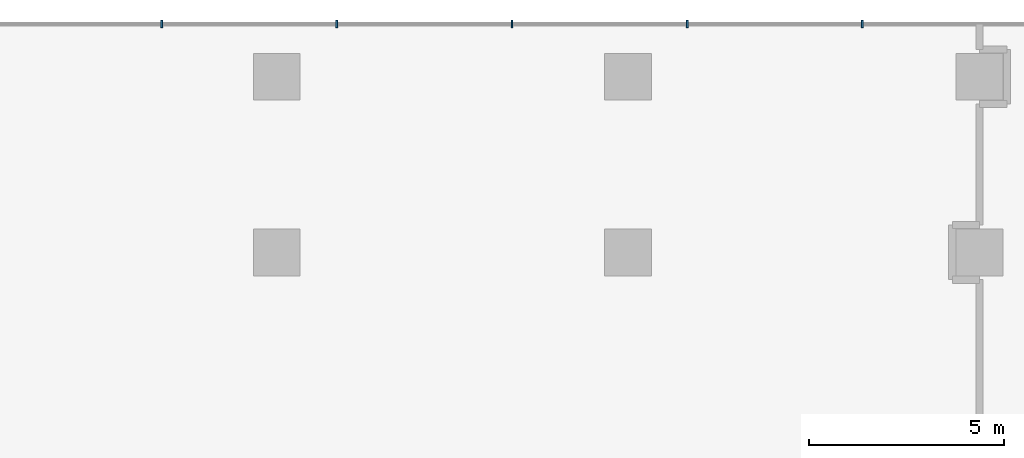
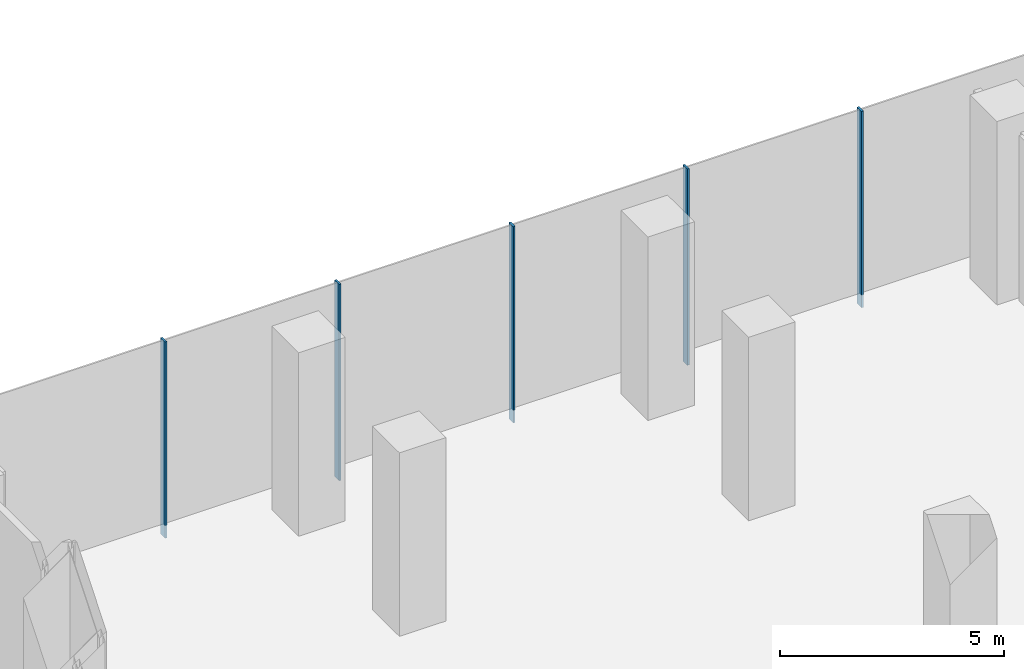
# One storey, part 17 of 36: 5 members, 1 element without a shape of its own.
"""IFC4 building model written with IfcOpenShell, lengths in metres."""

import ifcopenshell
import ifcopenshell.guid

model = None  # the IFC model being written
_history = None  # IfcOwnerHistory: only IFC2X3 demands one
_inside = {}  # id of a spatial element -> (the spatial element, [elements in it])
_under = {}  # id of a project, library or spatial element -> (it, [spatial elements below it])
_declared = {}  # id of a project -> (the project, [libraries it declares])
_typed = {}  # id of a type object -> (the type object, [elements of that type])
_made_of = {}  # id of a material, layer set ... -> (it, [elements and type objects made of it])


def new_model(schema):
    """Start an empty IFC model of exactly this schema.

    Asked for "IFC4X3", IfcOpenShell would pick the latest addendum, in which some entities
    have other attributes; the version numbers below select the first issue.
    IFC2X3 requires an IfcOwnerHistory on every rooted entity: one is made here for all.
    """
    global model, _history
    if schema == "IFC4X3":
        model = ifcopenshell.file(schema_version=(4, 3, 0, 0))
    else:
        model = ifcopenshell.file(schema=schema)
    _inside.clear()
    _under.clear()
    _declared.clear()
    _typed.clear()
    _made_of.clear()
    _history = None
    if model.schema == "IFC2X3":
        org = make("IfcOrganization", Name="unknown")
        user = make(
            "IfcPersonAndOrganization",
            ThePerson=make("IfcPerson", FamilyName="unknown"),
            TheOrganization=org,
        )
        app = make(
            "IfcApplication",
            ApplicationDeveloper=org,
            Version="unknown",
            ApplicationFullName="unknown",
            ApplicationIdentifier="unknown",
        )
        _history = make(
            "IfcOwnerHistory",
            OwningUser=user,
            OwningApplication=app,
            ChangeAction="ADDED",
            CreationDate=0,
        )
    return model


def make(cls, **values):
    """One entity of the class cls with the attributes given. An attribute that is None is left unset."""
    return model.create_entity(
        cls, **{name: value for name, value in values.items() if value is not None}
    )


def rooted(cls, **values):
    """An entity with a GlobalId (a new one), such as an element, a storey or a relation."""
    return make(cls, GlobalId=ifcopenshell.guid.new(), OwnerHistory=_history, **values)


def si_unit(unit_type, name, prefix=None):
    """IfcSIUnit, for example si_unit("LENGTHUNIT", "METRE", prefix="MILLI")."""
    return make("IfcSIUnit", UnitType=unit_type, Prefix=prefix, Name=name)


def assignment(units):
    """IfcUnitAssignment: the units of a project."""
    return None if units is None else make("IfcUnitAssignment", Units=units)


def point(xyz):
    """IfcCartesianPoint."""
    return None if xyz is None else make("IfcCartesianPoint", Coordinates=xyz)


def direction(xyz):
    """IfcDirection."""
    return None if xyz is None else make("IfcDirection", DirectionRatios=xyz)


def frame(location, z_axis=None, x_axis=None):
    """IfcAxis2Placement3D, a coordinate frame: its origin and axes. An axis left out is left unset."""
    return make(
        "IfcAxis2Placement3D",
        Location=point(location),
        Axis=direction(z_axis),
        RefDirection=direction(x_axis),
    )


def frame_2d(location, x_axis=None):
    """IfcAxis2Placement2D, a coordinate frame in the plane: its origin and x axis."""
    return make(
        "IfcAxis2Placement2D", Location=point(location), RefDirection=direction(x_axis)
    )


def origin():
    """The frame at (0, 0, 0) with its axes left unset."""
    return frame((0.0, 0.0, 0.0))


def origin_2d():
    """The frame at (0, 0) in the plane with its x axis left unset."""
    return frame_2d((0.0, 0.0))


def place(relative_to, where):
    """IfcLocalPlacement: puts the frame where relative to a parent placement (None: the world)."""
    return make(
        "IfcLocalPlacement", PlacementRelTo=relative_to, RelativePlacement=where
    )


def context(
    kind, dimensions, precision=None, world=None, true_north=None, identifier=None
):
    """IfcGeometricRepresentationContext, for example the 3D "Model" context."""
    return make(
        "IfcGeometricRepresentationContext",
        ContextIdentifier=identifier,
        ContextType=kind,
        CoordinateSpaceDimension=dimensions,
        Precision=precision,
        WorldCoordinateSystem=world,
        TrueNorth=true_north,
    )


def subcontext(parent, identifier, kind, view, scale=None):
    """IfcGeometricRepresentationSubContext, for example "Body" below "Model"."""
    return make(
        "IfcGeometricRepresentationSubContext",
        ContextIdentifier=identifier,
        ContextType=kind,
        ParentContext=parent,
        TargetScale=scale,
        TargetView=view,
    )


def project(units=None, contexts=None):
    """IfcProject with its units and contexts."""
    return rooted(
        "IfcProject",
        Name="project",
        RepresentationContexts=contexts,
        UnitsInContext=assignment(units),
    )


def spatial(cls, under=None, at=None, **own):
    """A site, building, storey or space (cls), placed at a placement, below another one or the project."""
    s = rooted(cls, ObjectPlacement=at, **own)
    if under is not None:
        _under.setdefault(under.id(), (under, []))[1].append(s)
    return s


def profile(cls, at=None, kind="AREA", **sizes):
    """A parametric profile (cls). Its sizes go by their IFC names, for example OverallWidth=200.0."""
    return make(cls, ProfileType=kind, Position=at, **sizes)


def rectangle(**sizes):
    """IfcRectangleProfileDef."""
    return profile("IfcRectangleProfileDef", **sizes)


def extrude(swept, where, along, depth):
    """IfcExtrudedAreaSolid: the profile swept, set in the frame where, extruded along a direction by depth."""
    return make(
        "IfcExtrudedAreaSolid",
        SweptArea=swept,
        Position=where,
        ExtrudedDirection=direction(along),
        Depth=depth,
    )


def shape(context_of_items, identifier, shape_type, items):
    """IfcShapeRepresentation: the items that make up one representation, for example the "Body"."""
    return make(
        "IfcShapeRepresentation",
        ContextOfItems=context_of_items,
        RepresentationIdentifier=identifier,
        RepresentationType=shape_type,
        Items=items,
    )


def material(Name=None, Category=None):
    """IfcMaterial."""
    return make("IfcMaterial", Name=Name, Category=Category)


def layer(
    of_material, thickness, ventilated=None, Name=None, Category=None, Priority=None
):
    """IfcMaterialLayer: one layer of a wall or slab, of a material (None: an air gap)."""
    return make(
        "IfcMaterialLayer",
        Material=of_material,
        LayerThickness=thickness,
        IsVentilated=ventilated,
        Name=Name,
        Category=Category,
        Priority=Priority,
    )


def layer_set(layers, Name=None):
    """IfcMaterialLayerSet."""
    return make("IfcMaterialLayerSet", MaterialLayers=layers, LayerSetName=Name)


def material_profile(
    of_material, cross_section, Name=None, Category=None, Priority=None
):
    """IfcMaterialProfile: a cross section and its material."""
    return make(
        "IfcMaterialProfile",
        Name=Name,
        Material=of_material,
        Profile=cross_section,
        Priority=Priority,
        Category=Category,
    )


def profile_set(profiles, Name=None, composite=None):
    """IfcMaterialProfileSet."""
    return make(
        "IfcMaterialProfileSet",
        Name=Name,
        MaterialProfiles=profiles,
        CompositeProfile=composite,
    )


def made_of(thing, what):
    """Note that an element or type object is made of a material, layer set ...; save() writes the relation."""
    if what is not None:
        _made_of.setdefault(what.id(), (what, []))[1].append(thing)
    return thing


def type_object(cls, material=None, **own):
    """A type object (cls), such as IfcWallType, which elements share."""
    return made_of(rooted(cls, **own), material)


def element(
    cls,
    number,
    at=None,
    inside=None,
    cuts=None,
    type_object=None,
    material=None,
    context=None,
    identifier="Body",
    shape_type=None,
    held_by="IfcProductDefinitionShape",
    body=None,
    shapes=None,
    **own,
):
    """One element of the class cls, such as IfcWall. Its Tag is "e" and its number.

    at: its placement. inside: the storey or other place that contains it. cuts: it is an
    opening in that element (IfcRelVoidsElement). A single representation is given by context,
    identifier, shape_type and body (its items); several are given by shapes. held_by: the class
    of the entity that holds the representations. save() writes the other relations.
    """
    e = rooted(cls, Tag="e%d" % number, ObjectPlacement=at, **own)
    if body is not None:
        shapes = [shape(context, identifier, shape_type, body)]
    if shapes is not None:
        e.Representation = make(held_by, Representations=shapes)
    if inside is not None:
        _inside.setdefault(inside.id(), (inside, []))[1].append(e)
    if cuts is not None:
        rooted(
            "IfcRelVoidsElement", RelatingBuildingElement=cuts, RelatedOpeningElement=e
        )
    if type_object is not None:
        _typed.setdefault(type_object.id(), (type_object, []))[1].append(e)
    return made_of(e, material)


def aggregate(whole, parts):
    """IfcRelAggregates: a whole, such as a stair, and the parts it consists of."""
    return rooted("IfcRelAggregates", RelatingObject=whole, RelatedObjects=parts)


def save(model, path):
    """Write the relations noted so far, then the file.

    IfcRelAggregates (storeys below a building ...), IfcRelContainedInSpatialStructure (elements
    in a storey), IfcRelDefinesByType, IfcRelAssociatesMaterial and IfcRelDeclares: one each for
    every whole, place, type object, material and project.
    """
    for whole, parts in _under.values():
        aggregate(whole, parts)
    for where, things in _inside.values():
        rooted(
            "IfcRelContainedInSpatialStructure",
            RelatedElements=things,
            RelatingStructure=where,
        )
    for kind, things in _typed.values():
        rooted("IfcRelDefinesByType", RelatedObjects=things, RelatingType=kind)
    for what, things in _made_of.values():
        rooted("IfcRelAssociatesMaterial", RelatedObjects=things, RelatingMaterial=what)
    for by, libraries in _declared.values():
        rooted("IfcRelDeclares", RelatingContext=by, RelatedDefinitions=libraries)
    model.write(path)


model = new_model("IFC4")

# Units and contexts
model_context = context("Model", 3, precision=1e-05, world=origin(), true_north=direction((0.0, 1.0)))
body_context = subcontext(model_context, "Body", "Model", "MODEL_VIEW")
ifc_project = project(units=[si_unit("LENGTHUNIT", "METRE"), si_unit("AREAUNIT", "SQUARE_METRE"), si_unit("VOLUMEUNIT", "CUBIC_METRE"), si_unit("PLANEANGLEUNIT", "RADIAN"), si_unit("MASSUNIT", "GRAM", prefix="KILO")], contexts=[model_context])

# Site, building, storey
site_placement = place(None, origin())
site = spatial("IfcSite", under=ifc_project, at=site_placement, CompositionType="ELEMENT")
building_placement = place(site_placement, origin())
building = spatial("IfcBuilding", under=site, at=building_placement, Name="Plateau Cross Towers", CompositionType="ELEMENT")
storey_placement = place(building_placement, frame((0.0, 0.0, 21.800048828125)))
storey = spatial("IfcBuildingStorey", under=building, at=storey_placement, Name="L04", CompositionType="ELEMENT", Elevation=21.800048828125)

# Curtain wall, members
ifc_material_1 = material(Name="Dark low-iron laminated glass", Category="glass")
ifc_layer = layer(ifc_material_1, 0.300048828125)
ifc_layer_set = layer_set([ifc_layer], Name="Dark low-iron laminated glass")
curtain_wall_type = type_object("IfcCurtainWallType", Name="Curtain wall structural silicone CW-C", PredefinedType="NOTDEFINED", material=ifc_layer_set)
curtain_wall_placement = place(storey_placement, origin())
curtain_wall = element("IfcCurtainWall", 1, at=curtain_wall_placement, inside=storey, type_object=curtain_wall_type, Name="ENV/P/L04/P1048_598", PredefinedType="NOTDEFINED")
ifc_material_2 = material(Name="Black anodised aluminium", Category="aluminium")
ifc_material_profile = material_profile(ifc_material_2, rectangle(XDim=0.050048828125, YDim=0.199951171875, at=origin_2d()), Name="MULLION 50x200")
ifc_profile_set = profile_set([ifc_material_profile], Name="Black anodised aluminium")
member_type = type_object("IfcMemberType", Name="Mullion 50x200 structural silicone", PredefinedType="MULLION", material=ifc_profile_set)
member_1_placement = place(storey_placement, frame((51.0, 59.85009765625, -0.35009765625), z_axis=(0.0, 0.0, 1.0), x_axis=(-1.0, 0.0, 0.0)))
member_1 = element("IfcMember", 2, at=member_1_placement, type_object=member_type, Name="CW-C mullion 13", PredefinedType="MULLION", context=body_context, shape_type="SweptSolid", body=[
    extrude(rectangle(XDim=0.050048828125, YDim=0.199951171875, at=origin_2d()), origin(), (0.0, 0.0, 1.0), 5.35009765625),
])
member_2_placement = place(storey_placement, frame((46.512451171875, 59.85009765625, -0.35009765625), z_axis=(0.0, 0.0, 1.0), x_axis=(-1.0, 0.0, 0.0)))
member_2 = element("IfcMember", 3, at=member_2_placement, type_object=member_type, Name="CW-C mullion 14", PredefinedType="MULLION", context=body_context, shape_type="SweptSolid", body=[
    extrude(rectangle(XDim=0.050048828125, YDim=0.199951171875, at=origin_2d()), origin(), (0.0, 0.0, 1.0), 5.35009765625),
])
member_3_placement = place(storey_placement, frame((42.02490234375, 59.85009765625, -0.35009765625), z_axis=(0.0, 0.0, 1.0), x_axis=(-1.0, 0.0, 0.0)))
member_3 = element("IfcMember", 4, at=member_3_placement, type_object=member_type, Name="CW-C mullion 15", PredefinedType="MULLION", context=body_context, shape_type="SweptSolid", body=[
    extrude(rectangle(XDim=0.050048828125, YDim=0.199951171875, at=origin_2d()), origin(), (0.0, 0.0, 1.0), 5.35009765625),
])
member_4_placement = place(storey_placement, frame((37.53759765625, 59.85009765625, -0.35009765625), z_axis=(0.0, 0.0, 1.0), x_axis=(-1.0, 0.0, 0.0)))
member_4 = element("IfcMember", 5, at=member_4_placement, type_object=member_type, Name="CW-C mullion 16", PredefinedType="MULLION", context=body_context, shape_type="SweptSolid", body=[
    extrude(rectangle(XDim=0.050048828125, YDim=0.199951171875, at=origin_2d()), origin(), (0.0, 0.0, 1.0), 5.35009765625),
])
member_5_placement = place(storey_placement, frame((33.050048828125, 59.85009765625, -0.35009765625), z_axis=(0.0, 0.0, 1.0), x_axis=(-1.0, 0.0, 0.0)))
member_5 = element("IfcMember", 6, at=member_5_placement, type_object=member_type, Name="CW-C mullion 17", PredefinedType="MULLION", context=body_context, shape_type="SweptSolid", body=[
    extrude(rectangle(XDim=0.050048828125, YDim=0.199951171875, at=origin_2d()), origin(), (0.0, 0.0, 1.0), 5.35009765625),
])
aggregate(curtain_wall, [member_1, member_2, member_3, member_4, member_5])

save(model, "model.ifc")
